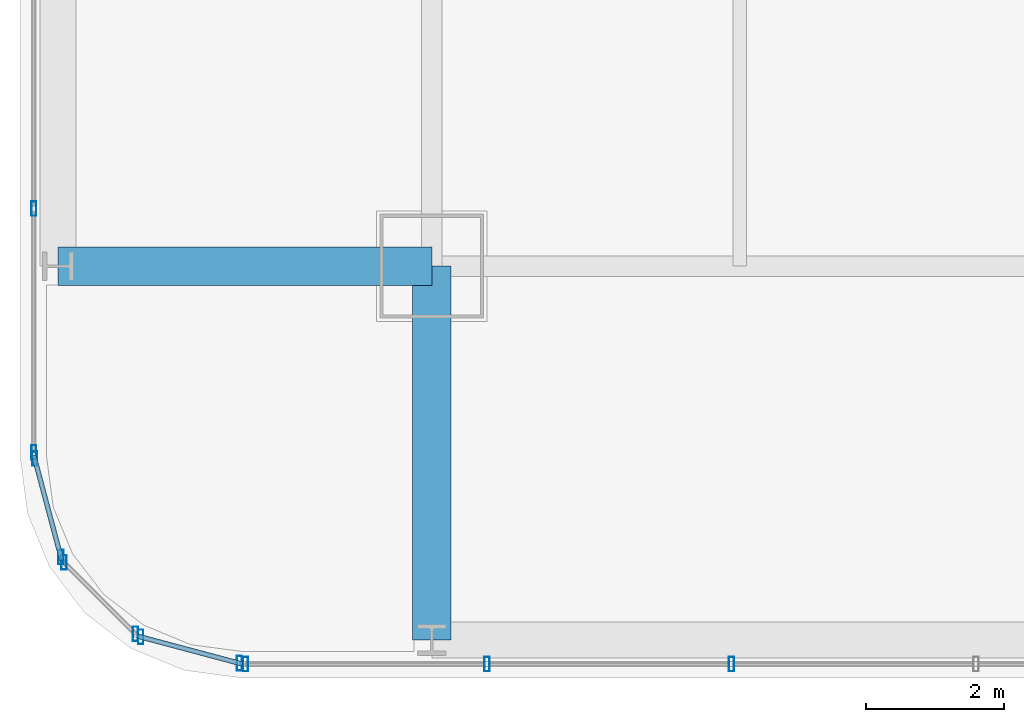
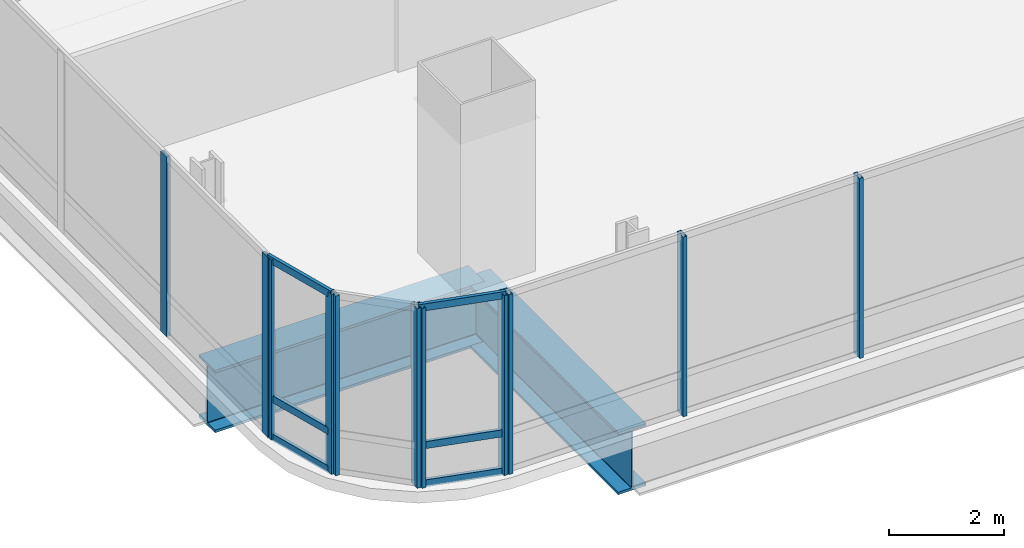
# One storey, part 2 of 36: 17 members, 2 beams, 5 elements without a shape of their own.
"""IFC4 building model written with IfcOpenShell, lengths in metres."""

from ifc_helpers import new_model, si_unit, direction, frame, origin, origin_2d, place, context, subcontext, project, spatial, hollow_rectangle, i_section, extrude, material, material_profile, profile_set, type_object, element, aggregate, save


model = new_model("IFC4")

# Units and contexts
model_context = context("Model", 3, precision=1e-05, world=origin(), true_north=direction((0.0, 1.0)))
body_context = subcontext(model_context, "Body", "Model", "MODEL_VIEW")
ifc_project = project(units=[si_unit("LENGTHUNIT", "METRE"), si_unit("AREAUNIT", "SQUARE_METRE"), si_unit("VOLUMEUNIT", "CUBIC_METRE"), si_unit("PLANEANGLEUNIT", "RADIAN"), si_unit("MASSUNIT", "GRAM", prefix="KILO")], contexts=[model_context])

# Site, building, storey
site_placement = place(None, origin())
site = spatial("IfcSite", under=ifc_project, at=site_placement, CompositionType="ELEMENT")
building_placement = place(site_placement, origin())
building = spatial("IfcBuilding", under=site, at=building_placement, Name="Punatoya Terracotta Tower", CompositionType="ELEMENT")
storey_placement = place(building_placement, frame((0.0, 0.0, 40.35009765625)))
storey = spatial("IfcBuildingStorey", under=building, at=storey_placement, Name="L08", CompositionType="ELEMENT", Elevation=40.35009765625)

# Beams
ifc_material_1 = material(Name="Steel S460", Category="steel")
ifc_material_profile_1 = material_profile(ifc_material_1, i_section(OverallWidth=0.56005859375, OverallDepth=1.320068359375, WebThickness=0.035888671875, FlangeThickness=0.054931640625, FilletRadius=0.01806640625, at=origin_2d()))
ifc_profile_set_1 = profile_set([ifc_material_profile_1], Name="Steel S460")
beam_type = type_object("IfcBeamType", Name="BM-TG-BLK", PredefinedType="BEAM", material=ifc_profile_set_1)
for number, where, z_axis, x_axis, name in (
    (1, (-24.5, -17.5, -0.900146484375), (1.0, 0.0, 0.0), (0.0, 1.0, 0.0), "BM-L08-CANT-W1"),
    (2, (-19.10009765625, -22.89990234375, -0.900146484375), (0.0, 1.0, 0.0), (-1.0, 0.0, 0.0), "BM-L08-CANT-S1"),
):
    element("IfcBeam", number, at=place(storey_placement, frame(where, z_axis=z_axis, x_axis=x_axis)), inside=storey, type_object=beam_type, Name=name, PredefinedType="BEAM", context=body_context, shape_type="SweptSolid", body=[
        extrude(i_section(OverallWidth=0.56005859375, OverallDepth=1.320068359375, WebThickness=0.035888671875, FlangeThickness=0.054931640625, FilletRadius=0.01806640625, at=origin_2d()), origin(), (0.0, 0.0, 1.0), 5.39990234375),
    ])

# Curtain wall, members
ifc_material_2 = material(Name="Aluminium 6063-T6 + Double Low-E Glass", Category="aluminium")
curtain_wall_type = type_object("IfcCurtainWallType", Name="CW-M1", PredefinedType="NOTDEFINED", material=ifc_material_2)
curtain_wall_1_placement = place(storey_placement, origin())
curtain_wall_1 = element("IfcCurtainWall", 3, at=curtain_wall_1_placement, inside=storey, type_object=curtain_wall_type, Name="L08 Curtain Wall CW-L08-S01-1", PredefinedType="NOTDEFINED")
ifc_material_3 = material(Name="Aluminium 6063-T6", Category="aluminium")
ifc_material_profile_2 = material_profile(ifc_material_3, hollow_rectangle(XDim=0.074951171875, YDim=0.2099609375, WallThickness=0.00439453125, at=origin_2d()))
ifc_profile_set_2 = profile_set([ifc_material_profile_2], Name="Aluminium 6063-T6")
member_type_1 = type_object("IfcMemberType", Name="CW-MUL-M1", PredefinedType="MULLION", material=ifc_profile_set_2)
member_1_placement = place(storey_placement, frame((-21.7919921875, -23.25, 0.0), z_axis=(0.0, 0.0, 1.0), x_axis=(1.0, 0.0, 0.0)))
member_1 = element("IfcMember", 4, at=member_1_placement, type_object=member_type_1, Name="CW-L08-S01-1 Mullion 00", PredefinedType="MULLION", context=body_context, shape_type="SweptSolid", body=[
    extrude(hollow_rectangle(XDim=0.074951171875, YDim=0.2099609375, WallThickness=0.00439453125, at=origin_2d()), origin(), (0.0, 0.0, 1.0), 3.809814453125),
])
member_2_placement = place(storey_placement, frame((-18.302978515625, -23.25, 0.0), z_axis=(0.0, 0.0, 1.0), x_axis=(1.0, 0.0, 0.0)))
member_2 = element("IfcMember", 5, at=member_2_placement, type_object=member_type_1, Name="CW-L08-S01-1 Mullion 01", PredefinedType="MULLION", context=body_context, shape_type="SweptSolid", body=[
    extrude(hollow_rectangle(XDim=0.074951171875, YDim=0.2099609375, WallThickness=0.00439453125, at=origin_2d()), origin(), (0.0, 0.0, 1.0), 3.809814453125),
])
member_3_placement = place(storey_placement, frame((-14.768798828125, -23.25, 0.0), z_axis=(0.0, 0.0, 1.0), x_axis=(1.0, 0.0, 0.0)))
member_3 = element("IfcMember", 6, at=member_3_placement, type_object=member_type_1, Name="CW-L08-S01-1 Mullion 02", PredefinedType="MULLION", context=body_context, shape_type="SweptSolid", body=[
    extrude(hollow_rectangle(XDim=0.074951171875, YDim=0.2099609375, WallThickness=0.00439453125, at=origin_2d()), origin(), (0.0, 0.0, 1.0), 3.809814453125),
])
aggregate(curtain_wall_1, [member_1, member_2, member_3])

curtain_wall_2_placement = place(storey_placement, origin())
curtain_wall_2 = element("IfcCurtainWall", 7, at=curtain_wall_2_placement, inside=storey, type_object=curtain_wall_type, Name="L08 Curtain Wall CW-L08-W13-1", PredefinedType="NOTDEFINED")
member_4_placement = place(storey_placement, frame((-24.85009765625, -16.66943359375, 0.0), z_axis=(0.0, 0.0, 1.0), x_axis=(1.0, 0.0, 0.0)))
member_4 = element("IfcMember", 8, at=member_4_placement, type_object=member_type_1, Name="CW-L08-W13-1 Mullion 09", PredefinedType="MULLION", context=body_context, shape_type="SweptSolid", body=[
    extrude(hollow_rectangle(XDim=0.074951171875, YDim=0.2099609375, WallThickness=0.00439453125, at=origin_2d()), origin(), (0.0, 0.0, 1.0), 3.809814453125),
])
member_5_placement = place(storey_placement, frame((-24.85009765625, -20.19189453125, 0.0), z_axis=(0.0, 0.0, 1.0), x_axis=(1.0, 0.0, 0.0)))
member_5 = element("IfcMember", 9, at=member_5_placement, type_object=member_type_1, Name="CW-L08-W13-1 Mullion 10", PredefinedType="MULLION", context=body_context, shape_type="SweptSolid", body=[
    extrude(hollow_rectangle(XDim=0.074951171875, YDim=0.2099609375, WallThickness=0.00439453125, at=origin_2d()), origin(), (0.0, 0.0, 1.0), 3.809814453125),
])
aggregate(curtain_wall_2, [member_4, member_5])

curtain_wall_3_placement = place(storey_placement, origin())
curtain_wall_3 = element("IfcCurtainWall", 10, at=curtain_wall_3_placement, inside=storey, type_object=curtain_wall_type, Name="L08 Curtain Wall CW-L08-CRN14", PredefinedType="NOTDEFINED")
member_6_placement = place(storey_placement, frame((-24.83837890625, -20.280517578125, 0.0), z_axis=(0.0, 0.0, 1.0), x_axis=(1.0, 0.0, 0.0)))
member_6 = element("IfcMember", 11, at=member_6_placement, type_object=member_type_1, Name="CW-L08-CRN14 Mullion 00", PredefinedType="MULLION", context=body_context, shape_type="SweptSolid", body=[
    extrude(hollow_rectangle(XDim=0.074951171875, YDim=0.2099609375, WallThickness=0.00439453125, at=origin_2d()), origin(), (0.0, 0.0, 1.0), 3.809814453125),
])
member_7_placement = place(storey_placement, frame((-24.458251953125, -21.70556640625, 0.0), z_axis=(0.0, 0.0, 1.0), x_axis=(1.0, 0.0, 0.0)))
member_7 = element("IfcMember", 12, at=member_7_placement, type_object=member_type_1, Name="CW-L08-CRN14 Mullion 01", PredefinedType="MULLION", context=body_context, shape_type="SweptSolid", body=[
    extrude(hollow_rectangle(XDim=0.074951171875, YDim=0.2099609375, WallThickness=0.00439453125, at=origin_2d()), origin(), (0.0, 0.0, 1.0), 3.809814453125),
])

curtain_wall_4_placement = place(storey_placement, origin())
curtain_wall_4 = element("IfcCurtainWall", 13, at=curtain_wall_4_placement, inside=storey, type_object=curtain_wall_type, Name="L08 Curtain Wall CW-L08-CRN15", PredefinedType="NOTDEFINED")
member_8_placement = place(storey_placement, frame((-24.414794921875, -21.781005859375, 0.0), z_axis=(0.0, 0.0, 1.0), x_axis=(1.0, 0.0, 0.0)))
member_8 = element("IfcMember", 14, at=member_8_placement, type_object=member_type_1, Name="CW-L08-CRN15 Mullion 00", PredefinedType="MULLION", context=body_context, shape_type="SweptSolid", body=[
    extrude(hollow_rectangle(XDim=0.074951171875, YDim=0.2099609375, WallThickness=0.00439453125, at=origin_2d()), origin(), (0.0, 0.0, 1.0), 3.809814453125),
])
member_9_placement = place(storey_placement, frame((-23.380859375, -22.814697265625, 0.0), z_axis=(0.0, 0.0, 1.0), x_axis=(1.0, 0.0, 0.0)))
member_9 = element("IfcMember", 15, at=member_9_placement, type_object=member_type_1, Name="CW-L08-CRN15 Mullion 01", PredefinedType="MULLION", context=body_context, shape_type="SweptSolid", body=[
    extrude(hollow_rectangle(XDim=0.074951171875, YDim=0.2099609375, WallThickness=0.00439453125, at=origin_2d()), origin(), (0.0, 0.0, 1.0), 3.809814453125),
])
aggregate(curtain_wall_4, [member_8, member_9])

curtain_wall_5_placement = place(storey_placement, origin())
curtain_wall_5 = element("IfcCurtainWall", 16, at=curtain_wall_5_placement, inside=storey, type_object=curtain_wall_type, Name="L08 Curtain Wall CW-L08-CRN16", PredefinedType="NOTDEFINED")
member_10_placement = place(storey_placement, frame((-23.3056640625, -22.858154296875, 0.0), z_axis=(0.0, 0.0, 1.0), x_axis=(1.0, 0.0, 0.0)))
member_10 = element("IfcMember", 17, at=member_10_placement, type_object=member_type_1, Name="CW-L08-CRN16 Mullion 00", PredefinedType="MULLION", context=body_context, shape_type="SweptSolid", body=[
    extrude(hollow_rectangle(XDim=0.074951171875, YDim=0.2099609375, WallThickness=0.00439453125, at=origin_2d()), origin(), (0.0, 0.0, 1.0), 3.809814453125),
])
member_11_placement = place(storey_placement, frame((-21.88037109375, -23.23828125, 0.0), z_axis=(0.0, 0.0, 1.0), x_axis=(1.0, 0.0, 0.0)))
member_11 = element("IfcMember", 18, at=member_11_placement, type_object=member_type_1, Name="CW-L08-CRN16 Mullion 01", PredefinedType="MULLION", context=body_context, shape_type="SweptSolid", body=[
    extrude(hollow_rectangle(XDim=0.074951171875, YDim=0.2099609375, WallThickness=0.00439453125, at=origin_2d()), origin(), (0.0, 0.0, 1.0), 3.809814453125),
])

# Member
ifc_material_profile_3 = material_profile(ifc_material_3, hollow_rectangle(XDim=0.068115234375, YDim=0.14990234375, WallThickness=0.00390625, at=origin_2d()))
ifc_profile_set_3 = profile_set([ifc_material_profile_3], Name="Aluminium 6063-T6")
member_type_2 = type_object("IfcMemberType", Name="CW-TRN-TYP", PredefinedType="USERDEFINED", material=ifc_profile_set_3)
member_12_placement = place(storey_placement, frame((-24.85009765625, -20.23681640625, 0.039794921875), z_axis=(0.257847112249, -0.966185730957, 0.0), x_axis=(0.966185730957, 0.257847112249, 0.0)))
member_12 = element("IfcMember", 19, at=member_12_placement, type_object=member_type_2, Name="CW-L08-CRN14 Transom 1", ObjectType="TRANSOM", PredefinedType="USERDEFINED", context=body_context, shape_type="SweptSolid", body=[
    extrude(hollow_rectangle(XDim=0.068115234375, YDim=0.14990234375, WallThickness=0.00390625, at=origin_2d()), origin(), (0.0, 0.0, 1.0), 1.565185546875),
])

member_13_placement = place(storey_placement, frame((-24.85009765625, -20.23681640625, 0.849853515625), z_axis=(0.257847112249, -0.966185730957, 0.0), x_axis=(0.966185730957, 0.257847112249, 0.0)))
member_13 = element("IfcMember", 20, at=member_13_placement, type_object=member_type_2, Name="CW-L08-CRN14 Transom 2", ObjectType="TRANSOM", PredefinedType="USERDEFINED", context=body_context, shape_type="SweptSolid", body=[
    extrude(hollow_rectangle(XDim=0.068115234375, YDim=0.14990234375, WallThickness=0.00390625, at=origin_2d()), origin(), (0.0, 0.0, 1.0), 1.565185546875),
])

member_14_placement = place(storey_placement, frame((-24.85009765625, -20.23681640625, 3.77001953125), z_axis=(0.257847112249, -0.966185730957, 0.0), x_axis=(0.966185730957, 0.257847112249, 0.0)))
member_14 = element("IfcMember", 21, at=member_14_placement, type_object=member_type_2, Name="CW-L08-CRN14 Transom 3", ObjectType="TRANSOM", PredefinedType="USERDEFINED", context=body_context, shape_type="SweptSolid", body=[
    extrude(hollow_rectangle(XDim=0.068115234375, YDim=0.14990234375, WallThickness=0.00390625, at=origin_2d()), origin(), (0.0, 0.0, 1.0), 1.565185546875),
])

aggregate(curtain_wall_3, [member_6, member_7, member_12, member_13, member_14])

member_15_placement = place(storey_placement, frame((-23.34912109375, -22.8466796875, 0.039794921875), z_axis=(0.966224582397, -0.257701486942, 0.0), x_axis=(0.257701486942, 0.966224582397, 0.0)))
member_15 = element("IfcMember", 22, at=member_15_placement, type_object=member_type_2, Name="CW-L08-CRN16 Transom 1", ObjectType="TRANSOM", PredefinedType="USERDEFINED", context=body_context, shape_type="SweptSolid", body=[
    extrude(hollow_rectangle(XDim=0.068115234375, YDim=0.14990234375, WallThickness=0.00390625, at=origin_2d()), origin(), (0.0, 0.0, 1.0), 1.565185546875),
])

member_16_placement = place(storey_placement, frame((-23.34912109375, -22.8466796875, 0.849853515625), z_axis=(0.966224582397, -0.257701486942, 0.0), x_axis=(0.257701486942, 0.966224582397, 0.0)))
member_16 = element("IfcMember", 23, at=member_16_placement, type_object=member_type_2, Name="CW-L08-CRN16 Transom 2", ObjectType="TRANSOM", PredefinedType="USERDEFINED", context=body_context, shape_type="SweptSolid", body=[
    extrude(hollow_rectangle(XDim=0.068115234375, YDim=0.14990234375, WallThickness=0.00390625, at=origin_2d()), origin(), (0.0, 0.0, 1.0), 1.565185546875),
])

member_17_placement = place(storey_placement, frame((-23.34912109375, -22.8466796875, 3.77001953125), z_axis=(0.966224582397, -0.257701486942, 0.0), x_axis=(0.257701486942, 0.966224582397, 0.0)))
member_17 = element("IfcMember", 24, at=member_17_placement, type_object=member_type_2, Name="CW-L08-CRN16 Transom 3", ObjectType="TRANSOM", PredefinedType="USERDEFINED", context=body_context, shape_type="SweptSolid", body=[
    extrude(hollow_rectangle(XDim=0.068115234375, YDim=0.14990234375, WallThickness=0.00390625, at=origin_2d()), origin(), (0.0, 0.0, 1.0), 1.565185546875),
])

aggregate(curtain_wall_5, [member_10, member_11, member_15, member_16, member_17])

save(model, "model.ifc")
